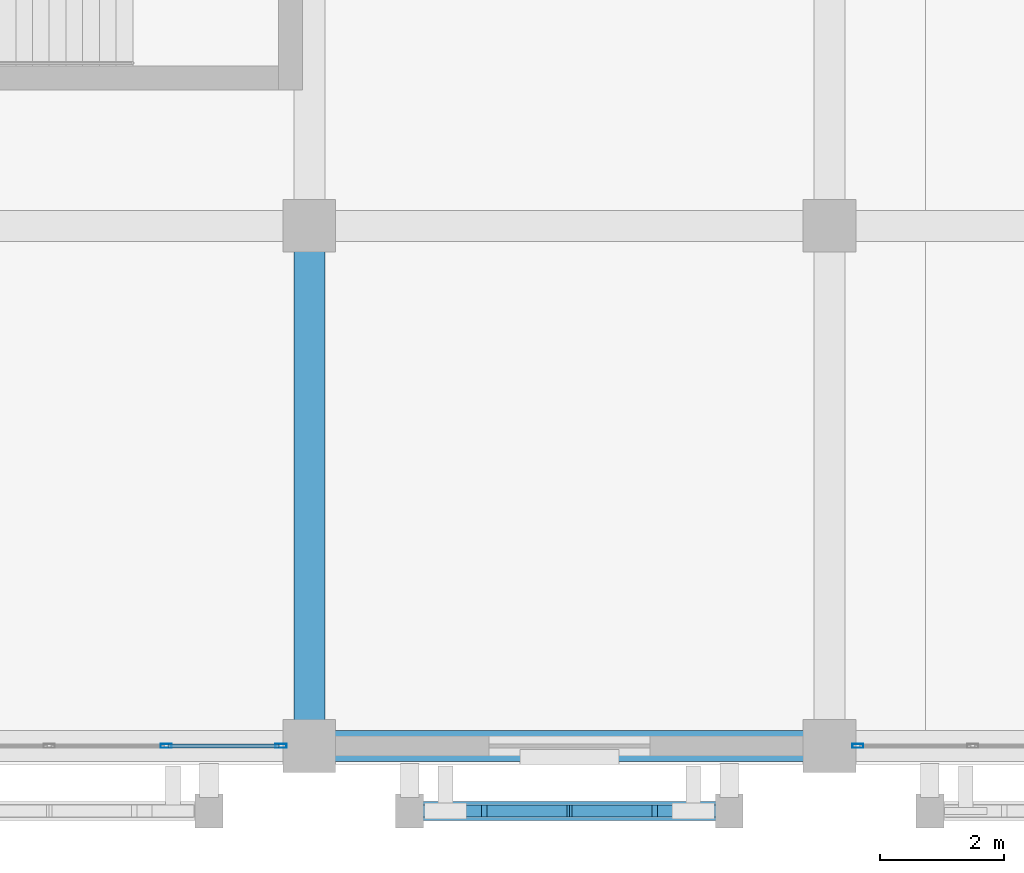
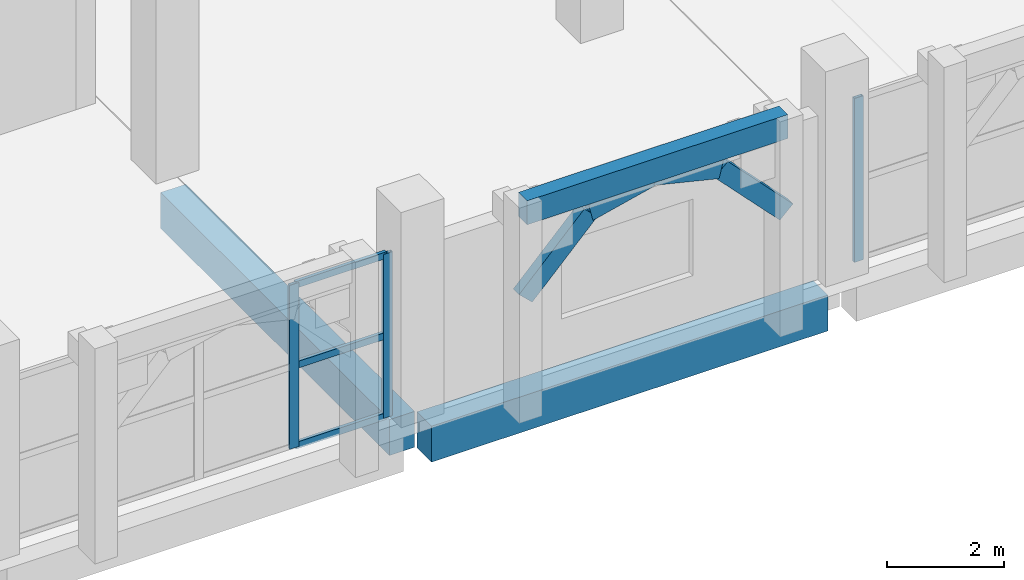
# One storey, part 12 of 137: 10 members, 3 beams, 2 elements without a shape of their own.
"""IFC4 building model written with IfcOpenShell, lengths in metres."""

from ifc_helpers import new_model, si_unit, direction, frame, origin, origin_2d, place, context, subcontext, project, spatial, rectangle, hollow_rectangle, extrude, material, layer, layer_set, material_profile, profile_set, type_object, element, aggregate, save


model = new_model("IFC4")

# Units and contexts
model_context = context("Model", 3, precision=1e-05, world=origin(), true_north=direction((0.0, 1.0)))
body_context = subcontext(model_context, "Body", "Model", "MODEL_VIEW")
ifc_project = project(units=[si_unit("LENGTHUNIT", "METRE"), si_unit("AREAUNIT", "SQUARE_METRE"), si_unit("VOLUMEUNIT", "CUBIC_METRE"), si_unit("PLANEANGLEUNIT", "RADIAN"), si_unit("MASSUNIT", "GRAM", prefix="KILO")], contexts=[model_context])

# Site, building, storey
site_placement = place(None, origin())
site = spatial("IfcSite", under=ifc_project, at=site_placement, CompositionType="ELEMENT")
building_placement = place(site_placement, origin())
building = spatial("IfcBuilding", under=site, at=building_placement, Name="Xazarin Passage Department Store", CompositionType="ELEMENT")
storey_placement = place(building_placement, frame((0.0, 0.0, 5.39990234375)))
storey = spatial("IfcBuildingStorey", under=building, at=storey_placement, Name="L01", CompositionType="ELEMENT", Elevation=5.39990234375)

# Curtain wall, members
ifc_material_1 = material(Name="Bronze anodised aluminium", Category="aluminium")
ifc_layer = layer(ifc_material_1, 0.18994140625)
ifc_layer_set = layer_set([ifc_layer], Name="Bronze anodised aluminium")
curtain_wall_type = type_object("IfcCurtainWallType", Name="ARC-CW-FDH1", PredefinedType="NOTDEFINED", material=ifc_layer_set)
curtain_wall_1_placement = place(storey_placement, origin())
curtain_wall_1 = element("IfcCurtainWall", 1, at=curtain_wall_1_placement, inside=storey, type_object=curtain_wall_type, Name="L01 V3 Curtain Wall 124", PredefinedType="NOTDEFINED")
ifc_material_profile_1 = material_profile(ifc_material_1, hollow_rectangle(XDim=0.06494140625, YDim=0.179931640625, WallThickness=0.00390625, at=origin_2d()), Name="ALU 65x180")
ifc_profile_set_1 = profile_set([ifc_material_profile_1], Name="Bronze anodised aluminium")
member_type_1 = type_object("IfcMemberType", Name="ARC-CWM-65x180", PredefinedType="MULLION", material=ifc_profile_set_1)
member_1_placement = place(storey_placement, frame((31.28759765625, 0.0, 0.0), z_axis=(0.0, 0.0, 1.0), x_axis=(0.0, 1.0, 0.0)))
member_1 = element("IfcMember", 2, at=member_1_placement, type_object=member_type_1, Name="CW5 mullion 4", PredefinedType="MULLION", context=body_context, shape_type="SweptSolid", body=[
    extrude(hollow_rectangle(XDim=0.06494140625, YDim=0.179931640625, WallThickness=0.00390625, at=origin_2d()), origin(), (0.0, 0.0, 1.0), 3.43017578125),
])
member_2_placement = place(storey_placement, frame((33.142578125, 0.0, 0.0), z_axis=(0.0, 0.0, 1.0), x_axis=(0.0, 1.0, 0.0)))
member_2 = element("IfcMember", 3, at=member_2_placement, type_object=member_type_1, Name="CW5 mullion 5", PredefinedType="MULLION", context=body_context, shape_type="SweptSolid", body=[
    extrude(hollow_rectangle(XDim=0.06494140625, YDim=0.179931640625, WallThickness=0.00390625, at=origin_2d()), origin(), (0.0, 0.0, 1.0), 3.43017578125),
])

# Curtain wall, member
curtain_wall_2_placement = place(storey_placement, origin())
curtain_wall_2 = element("IfcCurtainWall", 4, at=curtain_wall_2_placement, inside=storey, type_object=curtain_wall_type, Name="L01 V3 Curtain Wall 125", PredefinedType="NOTDEFINED")
member_3_placement = place(storey_placement, frame((42.45751953125, 0.0, 0.0), z_axis=(0.0, 0.0, 1.0), x_axis=(0.0, 1.0, 0.0)))
member_3 = element("IfcMember", 5, at=member_3_placement, type_object=member_type_1, Name="CW5 mullion 1", PredefinedType="MULLION", context=body_context, shape_type="SweptSolid", body=[
    extrude(hollow_rectangle(XDim=0.06494140625, YDim=0.179931640625, WallThickness=0.00390625, at=origin_2d()), origin(), (0.0, 0.0, 1.0), 3.43017578125),
])
aggregate(curtain_wall_2, [member_3])

# Member
ifc_material_profile_2 = material_profile(ifc_material_1, hollow_rectangle(XDim=0.06494140625, YDim=0.139892578125, WallThickness=0.00390625, at=origin_2d()), Name="ALU 65x140")
ifc_profile_set_2 = profile_set([ifc_material_profile_2], Name="Bronze anodised aluminium")
member_type_2 = type_object("IfcMemberType", Name="ARC-CWT-65x140", PredefinedType="USERDEFINED", material=ifc_profile_set_2)
member_4_placement = place(storey_placement, frame((31.320068359375, 0.0, 0.03271484375), z_axis=(1.0, 0.0, 0.0), x_axis=(0.0, 1.0, 0.0)))
member_4 = element("IfcMember", 6, at=member_4_placement, type_object=member_type_2, Name="CW5 transom 4.1", ObjectType="TRANSOM", PredefinedType="USERDEFINED", context=body_context, shape_type="SweptSolid", body=[
    extrude(hollow_rectangle(XDim=0.06494140625, YDim=0.139892578125, WallThickness=0.00390625, at=origin_2d()), origin(), (0.0, 0.0, 1.0), 1.7900390625),
])

member_5_placement = place(storey_placement, frame((31.320068359375, 0.0, 1.715087890625), z_axis=(1.0, 0.0, 0.0), x_axis=(0.0, 1.0, 0.0)))
member_5 = element("IfcMember", 7, at=member_5_placement, type_object=member_type_2, Name="CW5 transom 4.2", ObjectType="TRANSOM", PredefinedType="USERDEFINED", context=body_context, shape_type="SweptSolid", body=[
    extrude(hollow_rectangle(XDim=0.06494140625, YDim=0.139892578125, WallThickness=0.00390625, at=origin_2d()), origin(), (0.0, 0.0, 1.0), 1.7900390625),
])

member_6_placement = place(storey_placement, frame((31.320068359375, 0.0, 3.397705078125), z_axis=(1.0, 0.0, 0.0), x_axis=(0.0, 1.0, 0.0)))
member_6 = element("IfcMember", 8, at=member_6_placement, type_object=member_type_2, Name="CW5 transom 4.3", ObjectType="TRANSOM", PredefinedType="USERDEFINED", context=body_context, shape_type="SweptSolid", body=[
    extrude(hollow_rectangle(XDim=0.06494140625, YDim=0.139892578125, WallThickness=0.00390625, at=origin_2d()), origin(), (0.0, 0.0, 1.0), 1.7900390625),
])

aggregate(curtain_wall_1, [member_1, member_2, member_4, member_5, member_6])

# Beams
ifc_material_2 = material(Name="Concrete C35/45", Category="concrete")
ifc_material_profile_3 = material_profile(ifc_material_2, rectangle(XDim=0.300048828125, YDim=0.5, at=origin_2d()), Name="RC 300x500")
ifc_profile_set_3 = profile_set([ifc_material_profile_3], Name="Concrete C35/45")
beam_type_1 = type_object("IfcBeamType", Name="STR-BM-LN300x500", PredefinedType="LINTEL", material=ifc_profile_set_3)
beam_placement = place(storey_placement, frame((35.219970703125, -1.050048828125, 4.25), z_axis=(1.0, 0.0, 0.0), x_axis=(0.0, 1.0, 0.0)))
element("IfcBeam", 9, at=beam_placement, inside=storey, type_object=beam_type_1, Name="L01 V3 Colonnade Spandrel Beam 030", PredefinedType="LINTEL", context=body_context, shape_type="SweptSolid", body=[
    extrude(rectangle(XDim=0.300048828125, YDim=0.5, at=origin_2d()), origin(), (0.0, 0.0, 1.0), 5.159912109375),
])
ifc_material_profile_4 = material_profile(ifc_material_2, rectangle(XDim=0.5, YDim=0.75, at=origin_2d()), Name="RC 500x750")
ifc_profile_set_4 = profile_set([ifc_material_profile_4], Name="Concrete C35/45")
beam_type_2 = type_object("IfcBeamType", Name="STR-BM-SP500x750", PredefinedType="SPANDREL", material=ifc_profile_set_4)
for number, where, z_axis, x_axis, name in (
    (10, (33.8798828125, 0.0, -0.69482421875), (1.0, 0.0, 0.0), (0.0, 1.0, 0.0), "L01 Grid Beam A/5-6"),
    (11, (33.60009765625, 0.280029296875, -0.69482421875), (0.0, 1.0, 0.0), (-1.0, 0.0, 0.0), "L01 Grid Beam 5/A-B"),
):
    element("IfcBeam", number, at=place(storey_placement, frame(where, z_axis=z_axis, x_axis=x_axis)), inside=storey, type_object=beam_type_2, Name=name, PredefinedType="SPANDREL", context=body_context, shape_type="SweptSolid", body=[
        extrude(rectangle(XDim=0.5, YDim=0.75, at=origin_2d()), origin(), (0.0, 0.0, 1.0), 7.840087890625),
    ])

# Members
ifc_material_3 = material(Name="Concrete C40/50", Category="concrete")
ifc_material_profile_5 = material_profile(ifc_material_3, rectangle(XDim=0.199951171875, YDim=0.360107421875, at=origin_2d()), Name="RC 200x360")
ifc_profile_set_5 = profile_set([ifc_material_profile_5], Name="Concrete C40/50")
member_type_3 = type_object("IfcMemberType", Name="STR-MEM-ARC360", PredefinedType="CHORD", material=ifc_profile_set_5)
member_7_placement = place(storey_placement, frame((35.219970703125, -1.050048828125, 2.43017578125), z_axis=(0.693460080602, 0.0, 0.720495049679), x_axis=(0.0, 1.0, 0.0)))
element("IfcMember", 12, at=member_7_placement, inside=storey, type_object=member_type_3, Name="L01 V3 Pierced Lattice Curved Arch 030.1", PredefinedType="CHORD", context=body_context, shape_type="SweptSolid", body=[
    extrude(rectangle(XDim=0.199951171875, YDim=0.360107421875, at=origin_2d()), origin(), (0.0, 0.0, 1.0), 1.8603515625),
])
for number, where, z_axis, x_axis, name in (
    (13, (36.510009765625, -1.050048828125, 3.7705078125), (0.972393983317, 0.0, 0.233345111818), (0.0, 1.0, 0.0), "L01 V3 Pierced Lattice Curved Arch 030.2"),
    (14, (37.800048828125, -1.050048828125, 4.080078125), (0.972393983317, 0.0, -0.233345111818), (0.0, 1.0, 0.0), "L01 V3 Pierced Lattice Curved Arch 030.3"),
):
    element("IfcMember", number, at=place(storey_placement, frame(where, z_axis=z_axis, x_axis=x_axis)), inside=storey, type_object=member_type_3, Name=name, PredefinedType="CHORD", context=body_context, shape_type="SweptSolid", body=[
        extrude(rectangle(XDim=0.199951171875, YDim=0.360107421875, at=origin_2d()), origin(), (0.0, 0.0, 1.0), 1.32666015625),
    ])
member_8_placement = place(storey_placement, frame((39.090087890625, -1.050048828125, 3.7705078125), z_axis=(0.693391944082, 0.0, -0.720560623322), x_axis=(0.0, 1.0, 0.0)))
element("IfcMember", 15, at=member_8_placement, inside=storey, type_object=member_type_3, Name="L01 V3 Pierced Lattice Curved Arch 030.4", PredefinedType="CHORD", context=body_context, shape_type="SweptSolid", body=[
    extrude(rectangle(XDim=0.199951171875, YDim=0.360107421875, at=origin_2d()), origin(), (0.0, 0.0, 1.0), 1.860107421875),
])

save(model, "model.ifc")
